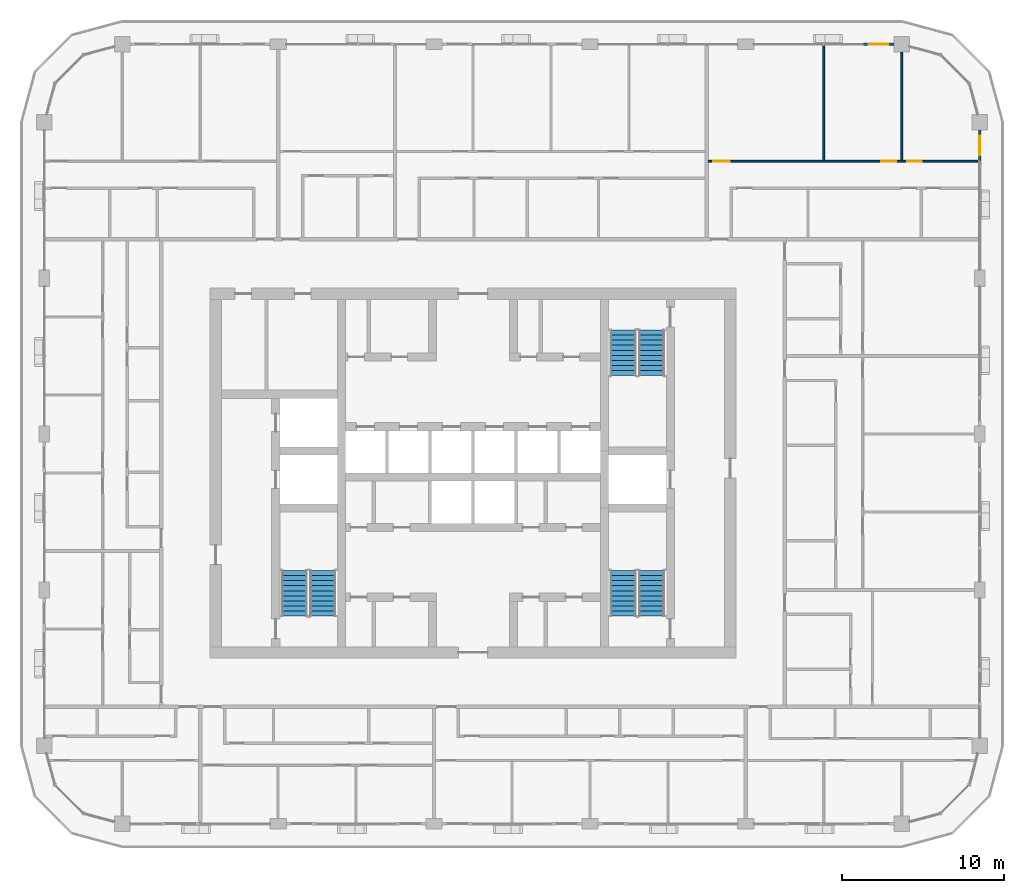
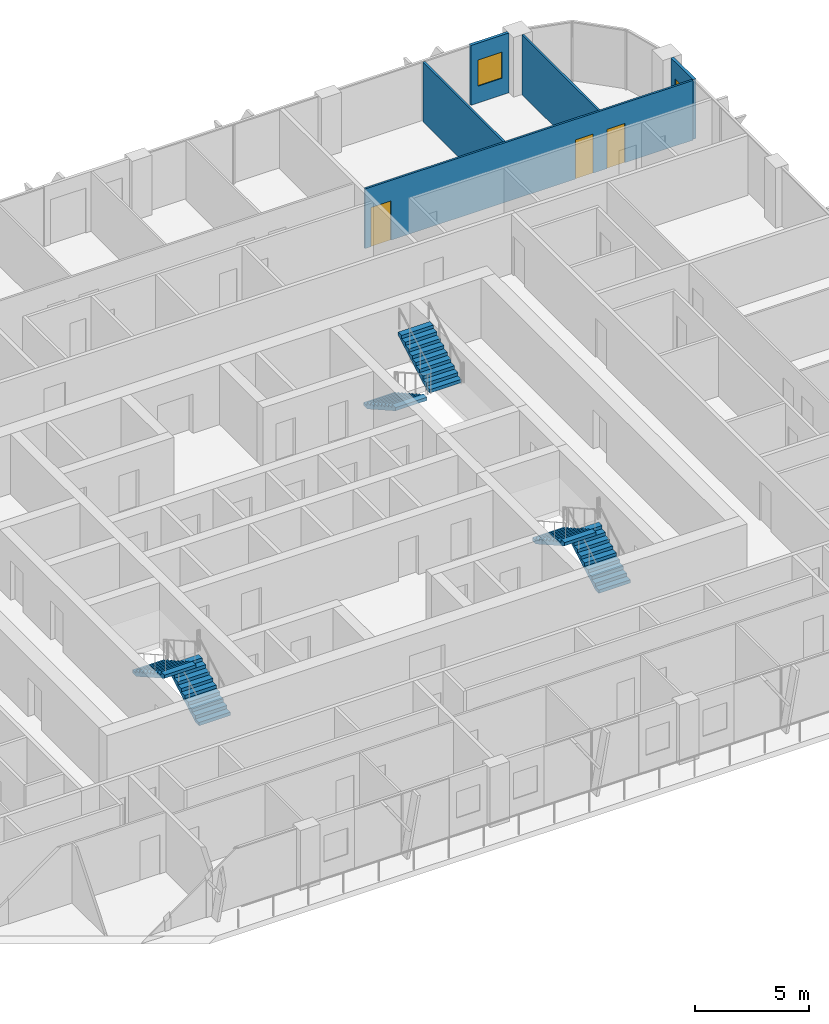
# One storey, part 16 of 23: 6 stair flights, 5 walls, 3 doors, 2 windows, 5 openings, 3 elements without a shape of their own.
"""IFC4 building model written with IfcOpenShell, lengths in metres."""

from ifc_helpers import new_model, si_unit, direction, frame, frame_2d, origin, place, context, subcontext, project, spatial, polyline, rectangle, outline, extrude, material, layer, layer_set, type_object, element, fill, aggregate, save


model = new_model("IFC4")

# Units and contexts
model_context = context("Model", 3, precision=1e-05, world=origin(), true_north=direction((0.0, 1.0)))
body_context = subcontext(model_context, "Body", "Model", "MODEL_VIEW")
ifc_project = project(units=[si_unit("LENGTHUNIT", "METRE"), si_unit("AREAUNIT", "SQUARE_METRE"), si_unit("VOLUMEUNIT", "CUBIC_METRE"), si_unit("PLANEANGLEUNIT", "RADIAN"), si_unit("MASSUNIT", "GRAM", prefix="KILO")], contexts=[model_context])

# Site, building, storey
site_placement = place(None, origin())
site = spatial("IfcSite", under=ifc_project, at=site_placement, CompositionType="ELEMENT")
building_placement = place(site_placement, origin())
building = spatial("IfcBuilding", under=site, at=building_placement, Name="Madar Terraces", CompositionType="ELEMENT")
storey_placement = place(building_placement, frame((0.0, 0.0, 222.800048828125)))
storey = spatial("IfcBuildingStorey", under=building, at=storey_placement, Name="L58", CompositionType="ELEMENT", Elevation=222.800048828125)

# Wall, opening, window
ifc_material_1 = material(Name="Aluminium composite panel, black, over insulated backing", Category="aluminium")
ifc_layer_1 = layer(ifc_material_1, 0.14990234375)
ifc_layer_set_1 = layer_set([ifc_layer_1], Name="Facade bay panel 150")
wall_type_1 = type_object("IfcWallType", Name="Facade bay panel 150", PredefinedType="SOLIDWALL", material=ifc_layer_set_1)
wall_1_placement = place(storey_placement, frame((62.39990234375, 45.60009765625, 0.0), z_axis=(0.0, 0.0, 1.0), x_axis=(0.0, 1.0, 0.0)))
wall_1 = element("IfcWall", 1, at=wall_1_placement, inside=storey, type_object=wall_type_1, Name="Facade bay panel", PredefinedType="SOLIDWALL", context=body_context, shape_type="SweptSolid", body=[
    extrude(rectangle(XDim=1.9248046875, YDim=0.14990234375, at=frame_2d((0.96240234375, 0.0))), origin(), (0.0, 0.0, 1.0), 3.199951171875),
])
opening_1_placement = place(wall_1_placement, frame((0.362548828125, 0.0, 0.89990234375)))
opening_1 = element("IfcOpeningElement", 2, at=opening_1_placement, cuts=wall_1, Name="Opening W1", PredefinedType="OPENING", context=body_context, shape_type="SweptSolid", body=[
    extrude(rectangle(XDim=1.199951171875, YDim=1.39990234375, at=frame_2d((0.60009765625, 0.699951171875))), frame((0.0, 0.0849609375, 0.0), z_axis=(0.0, -1.0, 0.0), x_axis=(1.0, 0.0, 0.0)), (0.0, 0.0, 1.0), 0.169921875),
])
ifc_material_2 = material(Name="Glass, clear, with black aluminium frame", Category="aluminium")
window_type = type_object("IfcWindowType", Name="Vent window 1200 x 1400", PartitioningType="SINGLE_PANEL", PredefinedType="WINDOW", material=ifc_material_2)
window_1_placement = place(opening_1_placement, origin())
window_1 = element("IfcWindow", 3, at=window_1_placement, inside=storey, type_object=window_type, Name="Operable vent window", OverallHeight=1.39990234375, OverallWidth=1.199951171875, PartitioningType="SINGLE_PANEL", PredefinedType="WINDOW", context=body_context, shape_type="SweptSolid", body=[
    extrude(rectangle(XDim=1.199951171875, YDim=1.39990234375, at=frame_2d((0.60009765625, 0.699951171875))), frame((0.0, 0.030029296875, 0.0), z_axis=(0.0, -1.0, 0.0), x_axis=(1.0, 0.0, 0.0)), (0.0, 0.0, 1.0), 0.06005859375),
])
fill(opening_1, window_1)

wall_2_placement = place(storey_placement, frame((57.125, 52.800048828125, 0.0), z_axis=(0.0, 0.0, 1.0), x_axis=(-1.0, 0.0, 0.0)))
wall_2 = element("IfcWall", 4, at=wall_2_placement, inside=storey, type_object=wall_type_1, Name="Facade bay panel", PredefinedType="SOLIDWALL", context=body_context, shape_type="SweptSolid", body=[
    extrude(rectangle(XDim=1.925048828125, YDim=0.14990234375, at=frame_2d((0.96240234375, 0.0))), origin(), (0.0, 0.0, 1.0), 3.199951171875),
])
opening_2_placement = place(wall_2_placement, frame((0.362548828125, 0.0, 0.89990234375)))
opening_2 = element("IfcOpeningElement", 5, at=opening_2_placement, cuts=wall_2, Name="Opening W1", PredefinedType="OPENING", context=body_context, shape_type="SweptSolid", body=[
    extrude(rectangle(XDim=1.199951171875, YDim=1.39990234375, at=frame_2d((0.60009765625, 0.699951171875))), frame((0.0, 0.0849609375, 0.0), z_axis=(0.0, -1.0, 0.0), x_axis=(1.0, 0.0, 0.0)), (0.0, 0.0, 1.0), 0.169921875),
])
window_2_placement = place(opening_2_placement, origin())
window_2 = element("IfcWindow", 6, at=window_2_placement, inside=storey, type_object=window_type, Name="Operable vent window", OverallHeight=1.39990234375, OverallWidth=1.199951171875, PartitioningType="SINGLE_PANEL", PredefinedType="WINDOW", context=body_context, shape_type="SweptSolid", body=[
    extrude(rectangle(XDim=1.199951171875, YDim=1.39990234375, at=frame_2d((0.60009765625, 0.699951171875))), frame((0.0, 0.030029296875, 0.0), z_axis=(0.0, -1.0, 0.0), x_axis=(1.0, 0.0, 0.0)), (0.0, 0.0, 1.0), 0.06005859375),
])
fill(opening_2, window_2)

# Walls
ifc_material_3 = material(Name="Gypsum board on steel studs", Category="steel")
ifc_layer_2 = layer(ifc_material_3, 0.10009765625)
ifc_layer_set_2 = layer_set([ifc_layer_2], Name="Flat partition 100")
wall_type_2 = type_object("IfcWallType", Name="Flat partition 100", PredefinedType="PARTITIONING", material=ifc_layer_set_2)
wall_3_placement = place(storey_placement, frame((52.800048828125, 45.64990234375, 0.0), z_axis=(0.0, 0.0, 1.0), x_axis=(0.0, 1.0, 0.0)))
element("IfcWall", 7, at=wall_3_placement, inside=storey, type_object=wall_type_2, Name="Flat partition 100", PredefinedType="PARTITIONING", context=body_context, shape_type="SweptSolid", body=[
    extrude(rectangle(XDim=7.050048828125, YDim=0.10009765625, at=frame_2d((3.52490234375, 0.0))), origin(), (0.0, 0.0, 1.0), 3.199951171875),
])
wall_4_placement = place(storey_placement, frame((57.60009765625, 45.64990234375, 0.0), z_axis=(0.0, 0.0, 1.0), x_axis=(0.0, 1.0, 0.0)))
element("IfcWall", 8, at=wall_4_placement, inside=storey, type_object=wall_type_2, Name="Flat partition 100", PredefinedType="PARTITIONING", context=body_context, shape_type="SweptSolid", body=[
    extrude(rectangle(XDim=6.675048828125, YDim=0.10009765625, at=frame_2d((3.33740234375, 0.0))), origin(), (0.0, 0.0, 1.0), 3.199951171875),
])

# Wall, openings, doors
wall_5_placement = place(storey_placement, frame((45.699951171875, 45.60009765625, 0.0), z_axis=(0.0, 0.0, 1.0), x_axis=(1.0, 0.0, 0.0)))
wall_5 = element("IfcWall", 9, at=wall_5_placement, inside=storey, type_object=wall_type_2, Name="Flat partition 100", PredefinedType="PARTITIONING", context=body_context, shape_type="SweptSolid", body=[
    extrude(rectangle(XDim=16.60009765625, YDim=0.10009765625, at=frame_2d((8.300048828125, 0.0))), origin(), (0.0, 0.0, 1.0), 3.199951171875),
])
opening_3_placement = place(wall_5_placement, frame((0.300048828125, 0.0, 0.0)))
opening_3 = element("IfcOpeningElement", 10, at=opening_3_placement, cuts=wall_5, Name="Opening D3", PredefinedType="OPENING", context=body_context, shape_type="SweptSolid", body=[
    extrude(rectangle(XDim=1.0, YDim=2.10009765625, at=frame_2d((0.5, 1.050048828125))), frame((0.0, 0.06005859375, 0.0), z_axis=(0.0, -1.0, 0.0), x_axis=(1.0, 0.0, 0.0)), (0.0, 0.0, 1.0), 0.1201171875),
])
opening_4_placement = place(wall_5_placement, frame((10.64990234375, 0.0, 0.0)))
opening_4 = element("IfcOpeningElement", 11, at=opening_4_placement, cuts=wall_5, Name="Opening D2", PredefinedType="OPENING", context=body_context, shape_type="SweptSolid", body=[
    extrude(rectangle(XDim=0.89990234375, YDim=2.10009765625, at=frame_2d((0.449951171875, 1.050048828125))), frame((0.0, 0.06005859375, 0.0), z_axis=(0.0, -1.0, 0.0), x_axis=(1.0, 0.0, 0.0)), (0.0, 0.0, 1.0), 0.1201171875),
])
opening_5_placement = place(wall_5_placement, frame((12.25, 0.0, 0.0)))
opening_5 = element("IfcOpeningElement", 12, at=opening_5_placement, cuts=wall_5, Name="Opening D2", PredefinedType="OPENING", context=body_context, shape_type="SweptSolid", body=[
    extrude(rectangle(XDim=0.89990234375, YDim=2.10009765625, at=frame_2d((0.449951171875, 1.050048828125))), frame((0.0, 0.06005859375, 0.0), z_axis=(0.0, -1.0, 0.0), x_axis=(1.0, 0.0, 0.0)), (0.0, 0.0, 1.0), 0.1201171875),
])
ifc_material_4 = material(Name="Timber door leaf", Category="wood")
door_type_1 = type_object("IfcDoorType", Name="Flat living room door 1000", OperationType="NOTDEFINED", PredefinedType="DOOR", material=ifc_material_4)
door_1_placement = place(opening_3_placement, origin())
door_1 = element("IfcDoor", 13, at=door_1_placement, inside=storey, type_object=door_type_1, Name="Flat living room door 1000", OperationType="SINGLE_SWING_LEFT", OverallHeight=2.10009765625, OverallWidth=1.0, PredefinedType="DOOR", context=body_context, shape_type="SweptSolid", body=[
    extrude(rectangle(XDim=1.0, YDim=2.10009765625, at=frame_2d((0.5, 1.050048828125))), frame((0.0, 0.02490234375, 0.0), z_axis=(0.0, -1.0, 0.0), x_axis=(1.0, 0.0, 0.0)), (0.0, 0.0, 1.0), 0.050048828125),
])
fill(opening_3, door_1)
ifc_material_5 = material(Name="Timber door leaf", Category="wood")
door_type_2 = type_object("IfcDoorType", Name="Flat room door 900", OperationType="NOTDEFINED", PredefinedType="DOOR", material=ifc_material_5)
door_2_placement = place(opening_4_placement, origin())
door_2 = element("IfcDoor", 14, at=door_2_placement, inside=storey, type_object=door_type_2, Name="Flat room door 900", OperationType="SINGLE_SWING_RIGHT", OverallHeight=2.10009765625, OverallWidth=0.89990234375, PredefinedType="DOOR", context=body_context, shape_type="SweptSolid", body=[
    extrude(rectangle(XDim=0.89990234375, YDim=2.10009765625, at=frame_2d((0.449951171875, 1.050048828125))), frame((0.0, 0.02490234375, 0.0), z_axis=(0.0, -1.0, 0.0), x_axis=(1.0, 0.0, 0.0)), (0.0, 0.0, 1.0), 0.050048828125),
])
fill(opening_4, door_2)
door_3_placement = place(opening_5_placement, origin())
door_3 = element("IfcDoor", 15, at=door_3_placement, inside=storey, type_object=door_type_2, Name="Flat room door 900", OperationType="SINGLE_SWING_LEFT", OverallHeight=2.10009765625, OverallWidth=0.89990234375, PredefinedType="DOOR", context=body_context, shape_type="SweptSolid", body=[
    extrude(rectangle(XDim=0.89990234375, YDim=2.10009765625, at=frame_2d((0.449951171875, 1.050048828125))), frame((0.0, 0.02490234375, 0.0), z_axis=(0.0, -1.0, 0.0), x_axis=(1.0, 0.0, 0.0)), (0.0, 0.0, 1.0), 0.050048828125),
])
fill(opening_5, door_3)

# Stair, stair flights
ifc_material_6 = material(Name="Concrete C50/60", Category="concrete")
stair_type_1 = type_object("IfcStairType", Name="Stair ST1 protected exit", PredefinedType="HALF_TURN_STAIR", material=ifc_material_6)
stair_1_placement = place(storey_placement, origin())
stair_1 = element("IfcStair", 16, at=stair_1_placement, inside=storey, type_object=stair_type_1, Name="L58 Protected Exit Stair ST1", PredefinedType="HALF_TURN_STAIR")
ifc_material_7 = material(Name="Concrete C50/60", Category="concrete")
stair_flight_type_1 = type_object("IfcStairFlightType", Name="Stair flight ST1-F4, 1600 wide, 10 risers", PredefinedType="STRAIGHT", material=ifc_material_7)
stair_flight_1_placement = place(storey_placement, frame((21.949951171875, 17.60009765625, 0.0), z_axis=(0.0, 0.0, 1.0), x_axis=(0.0, 1.0, 0.0)))
stair_flight_1 = element("IfcStairFlight", 17, at=stair_flight_1_placement, type_object=stair_flight_type_1, Name="ST1 flight 1", NumberOfRisers=10, NumberOfTreads=9, PredefinedType="STRAIGHT", RiserHeight=0.175, TreadLength=0.31, context=body_context, shape_type="SweptSolid", body=[
    extrude(outline(polyline([(0.0, 0.0), (0.0, 0.175048828125), (0.31005859375, 0.175048828125), (0.31005859375, 0.35009765625), (0.6201171875, 0.35009765625), (0.6201171875, 0.52490234375), (0.929931640625, 0.52490234375), (0.929931640625, 0.699951171875), (1.239990234375, 0.699951171875), (1.239990234375, 0.875), (1.550048828125, 0.875), (1.550048828125, 1.050048828125), (1.860107421875, 1.050048828125), (1.860107421875, 1.22509765625), (2.169921875, 1.22509765625), (2.169921875, 1.39990234375), (2.47998046875, 1.39990234375), (2.47998046875, 1.574951171875), (2.7900390625, 1.574951171875), (2.7900390625, 1.75), (2.7900390625, 1.40283203125), (0.304931640625, 0.0), (0.0, 0.0)])), frame((0.0, 0.800048828125, 0.0), z_axis=(0.0, -1.0, 0.0), x_axis=(1.0, 0.0, 0.0)), (0.0, 0.0, 1.0), 1.60009765625),
])
stair_flight_2_placement = place(storey_placement, frame((20.199951171875, 20.389892578125, 1.75), z_axis=(0.0, 0.0, 1.0), x_axis=(0.0, -1.0, 0.0)))
stair_flight_2 = element("IfcStairFlight", 18, at=stair_flight_2_placement, type_object=stair_flight_type_1, Name="ST1 flight 2", NumberOfRisers=10, NumberOfTreads=9, PredefinedType="STRAIGHT", RiserHeight=0.175, TreadLength=0.31, context=body_context, shape_type="SweptSolid", body=[
    extrude(outline(polyline([(0.0, 0.0), (0.0, 0.175048828125), (0.31005859375, 0.175048828125), (0.31005859375, 0.35009765625), (0.6201171875, 0.35009765625), (0.6201171875, 0.52490234375), (0.929931640625, 0.52490234375), (0.929931640625, 0.699951171875), (1.239990234375, 0.699951171875), (1.239990234375, 0.875), (1.550048828125, 0.875), (1.550048828125, 1.050048828125), (1.860107421875, 1.050048828125), (1.860107421875, 1.22509765625), (2.169921875, 1.22509765625), (2.169921875, 1.39990234375), (2.47998046875, 1.39990234375), (2.47998046875, 1.574951171875), (2.7900390625, 1.574951171875), (2.7900390625, 1.75), (2.7900390625, 1.40283203125), (0.304931640625, 0.0), (0.0, 0.0)])), frame((0.0, 0.800048828125, 0.0), z_axis=(0.0, -1.0, 0.0), x_axis=(1.0, 0.0, 0.0)), (0.0, 0.0, 1.0), 1.60009765625),
])
aggregate(stair_1, [stair_flight_1, stair_flight_2])

ifc_material_8 = material(Name="Concrete C50/60", Category="concrete")
stair_type_2 = type_object("IfcStairType", Name="Stair ST2 protected exit", PredefinedType="HALF_TURN_STAIR", material=ifc_material_8)
stair_2_placement = place(storey_placement, origin())
stair_2 = element("IfcStair", 19, at=stair_2_placement, inside=storey, type_object=stair_type_2, Name="L58 Protected Exit Stair ST2", PredefinedType="HALF_TURN_STAIR")
ifc_material_9 = material(Name="Concrete C50/60", Category="concrete")
stair_flight_type_2 = type_object("IfcStairFlightType", Name="Stair flight ST2-F4, 1600 wide, 10 risers", PredefinedType="STRAIGHT", material=ifc_material_9)
stair_flight_3_placement = place(storey_placement, frame((40.449951171875, 35.199951171875, 0.0), z_axis=(0.0, 0.0, 1.0), x_axis=(0.0, -1.0, 0.0)))
stair_flight_3 = element("IfcStairFlight", 20, at=stair_flight_3_placement, type_object=stair_flight_type_2, Name="ST2 flight 1", NumberOfRisers=10, NumberOfTreads=9, PredefinedType="STRAIGHT", RiserHeight=0.175, TreadLength=0.31, context=body_context, shape_type="SweptSolid", body=[
    extrude(outline(polyline([(0.0, 0.0), (0.0, 0.175048828125), (0.31005859375, 0.175048828125), (0.31005859375, 0.35009765625), (0.6201171875, 0.35009765625), (0.6201171875, 0.52490234375), (0.929931640625, 0.52490234375), (0.929931640625, 0.699951171875), (1.239990234375, 0.699951171875), (1.239990234375, 0.875), (1.550048828125, 0.875), (1.550048828125, 1.050048828125), (1.860107421875, 1.050048828125), (1.860107421875, 1.22509765625), (2.169921875, 1.22509765625), (2.169921875, 1.39990234375), (2.47998046875, 1.39990234375), (2.47998046875, 1.574951171875), (2.7900390625, 1.574951171875), (2.7900390625, 1.75), (2.7900390625, 1.40283203125), (0.304931640625, 0.0), (0.0, 0.0)])), frame((0.0, 0.800048828125, 0.0), z_axis=(0.0, -1.0, 0.0), x_axis=(1.0, 0.0, 0.0)), (0.0, 0.0, 1.0), 1.60009765625),
])
stair_flight_4_placement = place(storey_placement, frame((42.199951171875, 32.409912109375, 1.75), z_axis=(0.0, 0.0, 1.0), x_axis=(0.0, 1.0, 0.0)))
stair_flight_4 = element("IfcStairFlight", 21, at=stair_flight_4_placement, type_object=stair_flight_type_2, Name="ST2 flight 2", NumberOfRisers=10, NumberOfTreads=9, PredefinedType="STRAIGHT", RiserHeight=0.175, TreadLength=0.31, context=body_context, shape_type="SweptSolid", body=[
    extrude(outline(polyline([(0.0, 0.0), (0.0, 0.175048828125), (0.31005859375, 0.175048828125), (0.31005859375, 0.35009765625), (0.6201171875, 0.35009765625), (0.6201171875, 0.52490234375), (0.929931640625, 0.52490234375), (0.929931640625, 0.699951171875), (1.239990234375, 0.699951171875), (1.239990234375, 0.875), (1.550048828125, 0.875), (1.550048828125, 1.050048828125), (1.860107421875, 1.050048828125), (1.860107421875, 1.22509765625), (2.169921875, 1.22509765625), (2.169921875, 1.39990234375), (2.47998046875, 1.39990234375), (2.47998046875, 1.574951171875), (2.7900390625, 1.574951171875), (2.7900390625, 1.75), (2.7900390625, 1.40283203125), (0.304931640625, 0.0), (0.0, 0.0)])), frame((0.0, 0.800048828125, 0.0), z_axis=(0.0, -1.0, 0.0), x_axis=(1.0, 0.0, 0.0)), (0.0, 0.0, 1.0), 1.60009765625),
])
aggregate(stair_2, [stair_flight_3, stair_flight_4])

ifc_material_10 = material(Name="Concrete C50/60", Category="concrete")
stair_type_3 = type_object("IfcStairType", Name="Stair ST3 protected exit", PredefinedType="HALF_TURN_STAIR", material=ifc_material_10)
stair_3_placement = place(storey_placement, origin())
stair_3 = element("IfcStair", 22, at=stair_3_placement, inside=storey, type_object=stair_type_3, Name="L58 Protected Exit Stair ST3", PredefinedType="HALF_TURN_STAIR")
ifc_material_11 = material(Name="Concrete C50/60", Category="concrete")
stair_flight_type_3 = type_object("IfcStairFlightType", Name="Stair flight ST3-F4, 1600 wide, 10 risers", PredefinedType="STRAIGHT", material=ifc_material_11)
stair_flight_5_placement = place(storey_placement, frame((42.199951171875, 17.60009765625, 0.0), z_axis=(0.0, 0.0, 1.0), x_axis=(0.0, 1.0, 0.0)))
stair_flight_5 = element("IfcStairFlight", 23, at=stair_flight_5_placement, type_object=stair_flight_type_3, Name="ST3 flight 1", NumberOfRisers=10, NumberOfTreads=9, PredefinedType="STRAIGHT", RiserHeight=0.175, TreadLength=0.31, context=body_context, shape_type="SweptSolid", body=[
    extrude(outline(polyline([(0.0, 0.0), (0.0, 0.175048828125), (0.31005859375, 0.175048828125), (0.31005859375, 0.35009765625), (0.6201171875, 0.35009765625), (0.6201171875, 0.52490234375), (0.929931640625, 0.52490234375), (0.929931640625, 0.699951171875), (1.239990234375, 0.699951171875), (1.239990234375, 0.875), (1.550048828125, 0.875), (1.550048828125, 1.050048828125), (1.860107421875, 1.050048828125), (1.860107421875, 1.22509765625), (2.169921875, 1.22509765625), (2.169921875, 1.39990234375), (2.47998046875, 1.39990234375), (2.47998046875, 1.574951171875), (2.7900390625, 1.574951171875), (2.7900390625, 1.75), (2.7900390625, 1.40283203125), (0.304931640625, 0.0), (0.0, 0.0)])), frame((0.0, 0.800048828125, 0.0), z_axis=(0.0, -1.0, 0.0), x_axis=(1.0, 0.0, 0.0)), (0.0, 0.0, 1.0), 1.60009765625),
])
stair_flight_6_placement = place(storey_placement, frame((40.449951171875, 20.389892578125, 1.75), z_axis=(0.0, 0.0, 1.0), x_axis=(0.0, -1.0, 0.0)))
stair_flight_6 = element("IfcStairFlight", 24, at=stair_flight_6_placement, type_object=stair_flight_type_3, Name="ST3 flight 2", NumberOfRisers=10, NumberOfTreads=9, PredefinedType="STRAIGHT", RiserHeight=0.175, TreadLength=0.31, context=body_context, shape_type="SweptSolid", body=[
    extrude(outline(polyline([(0.0, 0.0), (0.0, 0.175048828125), (0.31005859375, 0.175048828125), (0.31005859375, 0.35009765625), (0.6201171875, 0.35009765625), (0.6201171875, 0.52490234375), (0.929931640625, 0.52490234375), (0.929931640625, 0.699951171875), (1.239990234375, 0.699951171875), (1.239990234375, 0.875), (1.550048828125, 0.875), (1.550048828125, 1.050048828125), (1.860107421875, 1.050048828125), (1.860107421875, 1.22509765625), (2.169921875, 1.22509765625), (2.169921875, 1.39990234375), (2.47998046875, 1.39990234375), (2.47998046875, 1.574951171875), (2.7900390625, 1.574951171875), (2.7900390625, 1.75), (2.7900390625, 1.40283203125), (0.304931640625, 0.0), (0.0, 0.0)])), frame((0.0, 0.800048828125, 0.0), z_axis=(0.0, -1.0, 0.0), x_axis=(1.0, 0.0, 0.0)), (0.0, 0.0, 1.0), 1.60009765625),
])
aggregate(stair_3, [stair_flight_5, stair_flight_6])

save(model, "model.ifc")
